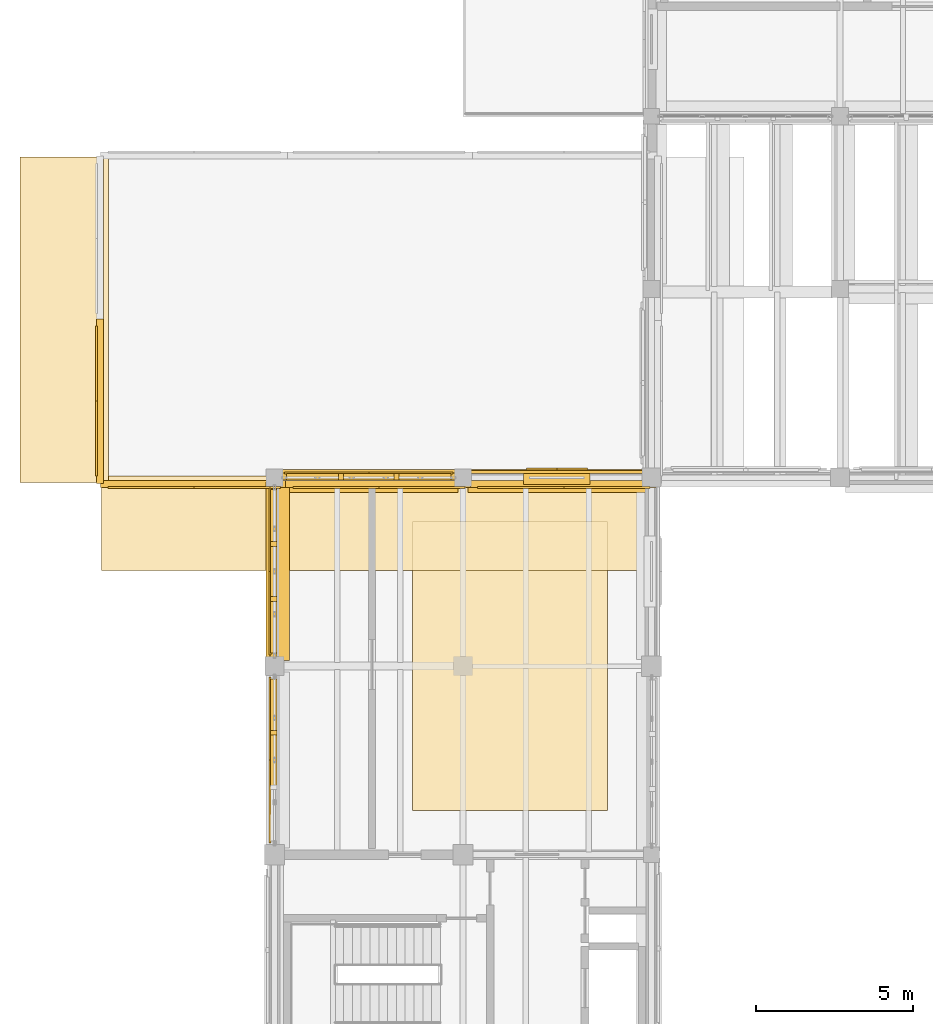
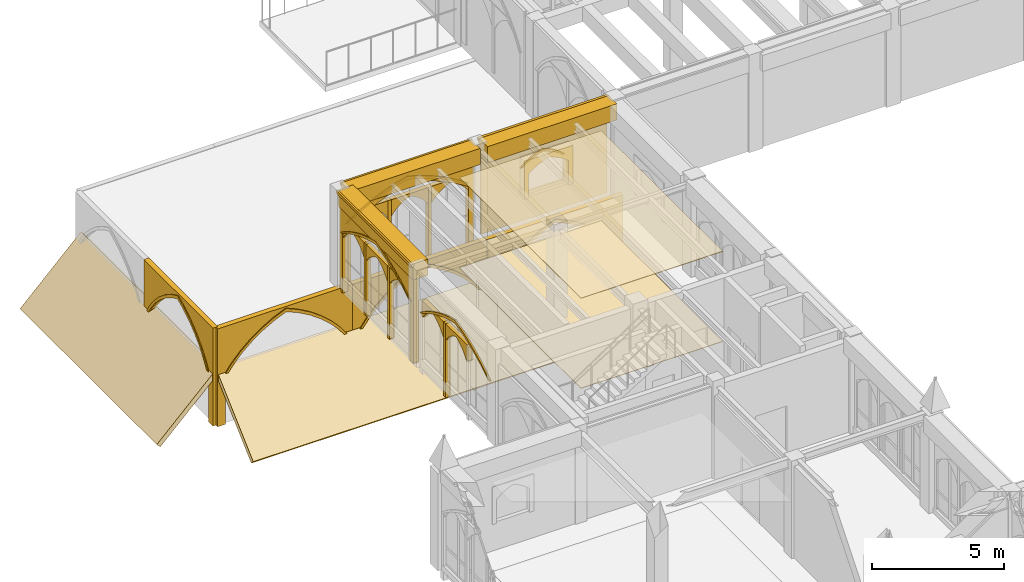
# One storey, part 96 of 127: 39 coverings.
"""IFC4 building model written with IfcOpenShell, lengths in metres."""

from ifc_helpers import new_model, si_unit, direction, frame, origin, origin_2d, place, context, subcontext, project, spatial, polyline, rectangle, outline, extrude, material, type_object, element, save


model = new_model("IFC4")

# Units and contexts
model_context = context("Model", 3, precision=1e-05, world=origin(), true_north=direction((0.0, 1.0)))
body_context = subcontext(model_context, "Body", "Model", "MODEL_VIEW")
ifc_project = project(units=[si_unit("LENGTHUNIT", "METRE"), si_unit("AREAUNIT", "SQUARE_METRE"), si_unit("VOLUMEUNIT", "CUBIC_METRE"), si_unit("PLANEANGLEUNIT", "RADIAN"), si_unit("MASSUNIT", "GRAM", prefix="KILO")], contexts=[model_context])

# Site, building, storey
site_placement = place(None, origin())
site = spatial("IfcSite", under=ifc_project, at=site_placement, CompositionType="ELEMENT")
building_placement = place(site_placement, origin())
building = spatial("IfcBuilding", under=site, at=building_placement, Name="Cumevento Cable Car Station", CompositionType="ELEMENT")
storey_placement = place(building_placement, frame((0.0, 0.0, 4.5)))
storey = spatial("IfcBuildingStorey", under=building, at=storey_placement, Name="L02", CompositionType="ELEMENT", Elevation=4.5)

# Coverings
ifc_material_1 = material(Name="Perforated Brazilian Ipe Timber Ceiling", Category="wood")
covering_type_1 = type_object("IfcCoveringType", Name="Acoustic Timber Ceiling CV-CE01", PredefinedType="CEILING", material=ifc_material_1)
covering_1_placement = place(storey_placement, frame((0.0, 0.0, 4.156982421875)))
element("IfcCovering", 1, at=covering_1_placement, inside=storey, type_object=covering_type_1, Name="Acoustic Timber Soffit Ceiling #6", PredefinedType="CEILING", context=body_context, shape_type="SweptSolid", body=[
    extrude(outline(polyline([(14.39990234375, 34.39990234375), (20.60009765625, 34.39990234375), (20.60009765625, 43.60009765625), (14.39990234375, 43.60009765625), (14.39990234375, 34.39990234375)])), origin(), (0.0, 0.0, 1.0), 0.028076171875),
])
ifc_material_2 = material(Name="Polished Carioca Granite Terrazzo Tile", Category="masonry")
covering_type_2 = type_object("IfcCoveringType", Name="Carioca Granite Flooring CV-FL01", PredefinedType="FLOORING", material=ifc_material_2)
covering_2_placement = place(storey_placement, origin())
element("IfcCovering", 2, at=covering_2_placement, inside=storey, type_object=covering_type_2, Name="Granite Terrazzo Floor Finish #6", PredefinedType="FLOORING", context=body_context, shape_type="SweptSolid", body=[
    extrude(outline(polyline([(14.39990234375, 34.39990234375), (20.60009765625, 34.39990234375), (20.60009765625, 43.60009765625), (14.39990234375, 43.60009765625), (14.39990234375, 34.39990234375)])), origin(), (0.0, 0.0, 1.0), 0.02197265625),
])
ifc_material_3 = material(Name="Gnaisse Facoidal Stone Ashlar 85 MPa", Category="masonry")
covering_type_3 = type_object("IfcCoveringType", Name="Gnaisse Ashlar Cladding CV-CL01", PredefinedType="CLADDING", material=ifc_material_3)
covering_3_placement = place(storey_placement, frame((13.0, 44.85009765625, 3.718017578125), z_axis=(0.0, 0.0, 1.0), x_axis=(1.0, 0.0, 0.0)))
element("IfcCovering", 3, at=covering_3_placement, inside=storey, type_object=covering_type_3, Name="Gothic Stone Spandrel Stringcourse sc:0344", PredefinedType="CLADDING", context=body_context, shape_type="SweptSolid", body=[
    extrude(rectangle(XDim=5.68994140625, YDim=0.659912109375, at=origin_2d()), origin(), (0.0, 0.0, 1.0), 0.7470703125),
])
covering_4_placement = place(storey_placement, frame((13.0, 45.20751953125, 4.3349609375), z_axis=(0.0, 0.0, 1.0), x_axis=(1.0, 0.0, 0.0)))
element("IfcCovering", 4, at=covering_4_placement, inside=storey, type_object=covering_type_3, Name="Gothic Cornice Dripstone Lip sc:0344", PredefinedType="CLADDING", context=body_context, shape_type="SweptSolid", body=[
    extrude(rectangle(XDim=5.72998046875, YDim=0.114990234375, at=origin_2d()), origin(), (0.0, 0.0, 1.0), 0.1298828125),
])
covering_5_placement = place(storey_placement, frame((18.987548828125, 44.85009765625, 3.682861328125), z_axis=(0.0, 0.0, 1.0), x_axis=(1.0, 0.0, 0.0)))
element("IfcCovering", 5, at=covering_5_placement, inside=storey, type_object=covering_type_3, Name="Gothic Stone Spandrel Stringcourse sc:0345", PredefinedType="CLADDING", context=body_context, shape_type="SweptSolid", body=[
    extrude(rectangle(XDim=5.6650390625, YDim=0.659912109375, at=origin_2d()), origin(), (0.0, 0.0, 1.0), 0.7470703125),
])
covering_6_placement = place(storey_placement, frame((18.987548828125, 45.20751953125, 4.300048828125), z_axis=(0.0, 0.0, 1.0), x_axis=(1.0, 0.0, 0.0)))
element("IfcCovering", 6, at=covering_6_placement, inside=storey, type_object=covering_type_3, Name="Gothic Cornice Dripstone Lip sc:0345", PredefinedType="CLADDING", context=body_context, shape_type="SweptSolid", body=[
    extrude(rectangle(XDim=5.705078125, YDim=0.114990234375, at=origin_2d()), origin(), (0.0, 0.0, 1.0), 0.1298828125),
])
covering_7_placement = place(storey_placement, frame((10.14990234375, 42.012451171875, 3.718017578125), z_axis=(0.0, 0.0, 1.0), x_axis=(0.0, 1.0, 0.0)))
element("IfcCovering", 7, at=covering_7_placement, inside=storey, type_object=covering_type_3, Name="Gothic Stone Spandrel Stringcourse sc:0347", PredefinedType="CLADDING", context=body_context, shape_type="SweptSolid", body=[
    extrude(rectangle(XDim=5.6650390625, YDim=0.659912109375, at=origin_2d()), origin(), (0.0, 0.0, 1.0), 0.7470703125),
])
covering_8_placement = place(storey_placement, frame((9.79248046875, 42.012451171875, 4.3349609375), z_axis=(0.0, 0.0, 1.0), x_axis=(0.0, 1.0, 0.0)))
element("IfcCovering", 8, at=covering_8_placement, inside=storey, type_object=covering_type_3, Name="Gothic Cornice Dripstone Lip sc:0347", PredefinedType="CLADDING", context=body_context, shape_type="SweptSolid", body=[
    extrude(rectangle(XDim=5.705078125, YDim=0.114990234375, at=origin_2d()), origin(), (0.0, 0.0, 1.0), 0.1298828125),
])
placement_1 = place(storey_placement, frame((10.27490234375, 45.0, -0.320068359375), z_axis=(0.0, 0.0, 1.0), x_axis=(1.0, 0.0, 0.0)))
element("IfcCovering", 9, at=placement_1, inside=storey, type_object=covering_type_3, Name="Gothic Ogival Pointed-Arch Stone Spandrel cw_ogival:0052", PredefinedType="CLADDING", context=body_context, shape_type="SweptSolid", body=[
    extrude(outline(polyline([(-0.080078125, 0.0), (-0.080078125, 4.177978515625), (5.530029296875, 4.177978515625), (5.530029296875, 0.0), (5.2900390625, 0.0), (5.2900390625, 2.867431640625), (4.99462890625, 3.057861328125), (4.690673828125, 3.234375), (4.37890625, 3.396484375), (4.059814453125, 3.54345703125), (3.734130859375, 3.675537109375), (3.402587890625, 3.792236328125), (3.06591796875, 3.89306640625), (2.72509765625, 3.97802734375), (2.384033203125, 3.89306640625), (2.04736328125, 3.792236328125), (1.7158203125, 3.675537109375), (1.39013671875, 3.54345703125), (1.071044921875, 3.396484375), (0.75927734375, 3.234375), (0.455322265625, 3.057861328125), (0.159912109375, 2.867431640625), (0.159912109375, 0.0), (-0.080078125, 0.0)])), frame((0.0, 0.139892578125, 0.0), z_axis=(0.0, -1.0, 0.0), x_axis=(1.0, 0.0, 0.0)), (0.0, 0.0, 1.0), 0.219970703125),
])
covering_10_placement = place(storey_placement, frame((10.27490234375, 45.0, 2.547607421875), z_axis=(0.0, 0.0, 1.0), x_axis=(1.0, 0.0, 0.0)))
element("IfcCovering", 10, at=covering_10_placement, inside=storey, type_object=covering_type_3, Name="Gothic Pointed Archivolt Hood Moulding cw_ogival:0052", PredefinedType="CLADDING", context=body_context, shape_type="SweptSolid", body=[
    extrude(outline(polyline([(0.159912109375, 0.0), (0.455322265625, 0.1904296875), (0.75927734375, 0.366943359375), (1.071044921875, 0.529052734375), (1.39013671875, 0.676025390625), (1.7158203125, 0.80810546875), (2.04736328125, 0.9248046875), (2.384033203125, 1.025634765625), (2.72509765625, 1.110595703125), (3.06591796875, 1.025634765625), (3.402587890625, 0.9248046875), (3.734130859375, 0.80810546875), (4.059814453125, 0.676025390625), (4.37890625, 0.529052734375), (4.690673828125, 0.366943359375), (4.99462890625, 0.1904296875), (5.2900390625, 0.0), (5.39990234375, 0.0), (5.095947265625, 0.21337890625), (4.78173828125, 0.411376953125), (4.457763671875, 0.59326171875), (4.125244140625, 0.7587890625), (3.784912109375, 0.9072265625), (3.4375, 1.03857421875), (3.083740234375, 1.152099609375), (2.72509765625, 1.248046875), (2.3662109375, 1.152099609375), (2.012451171875, 1.03857421875), (1.6650390625, 0.9072265625), (1.32470703125, 0.7587890625), (0.9921875, 0.59326171875), (0.668212890625, 0.411376953125), (0.35400390625, 0.21337890625), (0.050048828125, 0.0), (0.159912109375, 0.0)])), frame((0.0, 0.181884765625, 0.0), z_axis=(0.0, -1.0, 0.0), x_axis=(1.0, 0.0, 0.0)), (0.0, 0.0, 1.0), 0.06689453125),
])
element("IfcCovering", 11, at=placement_1, inside=storey, type_object=covering_type_3, Name="Gothic Bifora Stone Colonnette cw_ogival:0052 #1", PredefinedType="CLADDING", context=body_context, shape_type="SweptSolid", body=[
    extrude(outline(polyline([(1.77001953125, -0.02001953125), (1.919921875, -0.02001953125), (1.919921875, 3.445068359375), (1.77001953125, 3.445068359375), (1.77001953125, -0.02001953125)])), frame((0.0, 0.1279296875, 0.0), z_axis=(0.0, -1.0, 0.0), x_axis=(1.0, 0.0, 0.0)), (0.0, 0.0, 1.0), 0.205078125),
])
element("IfcCovering", 12, at=placement_1, inside=storey, type_object=covering_type_3, Name="Gothic Bifora Stone Colonnette cw_ogival:0052 #2", PredefinedType="CLADDING", context=body_context, shape_type="SweptSolid", body=[
    extrude(outline(polyline([(3.530029296875, -0.02001953125), (3.679931640625, -0.02001953125), (3.679931640625, 3.445068359375), (3.530029296875, 3.445068359375), (3.530029296875, -0.02001953125)])), frame((0.0, 0.1279296875, 0.0), z_axis=(0.0, -1.0, 0.0), x_axis=(1.0, 0.0, 0.0)), (0.0, 0.0, 1.0), 0.205078125),
])
for number, where, z_axis, x_axis, name in (
    (13, (10.405029296875, 45.0, 2.367431640625), (0.0, 0.0, 1.0), (1.0, 0.0, 0.0), "Gothic Ogival Pointed-Arch Stone Spandrel cw_ogival:0052:sub:0"),
    (14, (12.1650390625, 45.0, 2.367431640625), (0.0, 0.0, 1.0), (1.0, 0.0, 0.0), "Gothic Ogival Pointed-Arch Stone Spandrel cw_ogival:0052:sub:1"),
    (15, (13.925048828125, 45.0, 2.367431640625), (0.0, 0.0, 1.0), (1.0, 0.0, 0.0), "Gothic Ogival Pointed-Arch Stone Spandrel cw_ogival:0052:sub:2"),
):
    element("IfcCovering", number, at=place(storey_placement, frame(where, z_axis=z_axis, x_axis=x_axis)), inside=storey, type_object=covering_type_3, Name=name, PredefinedType="CLADDING", context=body_context, shape_type="SweptSolid", body=[
        extrude(outline(polyline([(-0.02001953125, 0.0), (-0.02001953125, 0.757568359375), (1.68994140625, 0.757568359375), (1.68994140625, 0.0), (1.6298828125, 0.0), (1.527587890625, 0.138916015625), (1.4111328125, 0.266357421875), (1.282470703125, 0.381103515625), (1.142333984375, 0.48193359375), (0.99267578125, 0.567626953125), (0.8349609375, 0.637451171875), (0.67724609375, 0.567626953125), (0.527587890625, 0.48193359375), (0.387451171875, 0.381103515625), (0.2587890625, 0.266357421875), (0.142333984375, 0.138916015625), (0.0400390625, 0.0), (-0.02001953125, 0.0)])), frame((0.0, 0.1240234375, 0.0), z_axis=(0.0, -1.0, 0.0), x_axis=(1.0, 0.0, 0.0)), (0.0, 0.0, 1.0), 0.199951171875),
    ])
covering_13_placement = place(storey_placement, frame((10.0, 33.324951171875, 2.5654296875), z_axis=(0.0, 0.0, 1.0), x_axis=(0.0, 1.0, 0.0)))
element("IfcCovering", 16, at=covering_13_placement, inside=storey, type_object=covering_type_3, Name="Gothic Pointed Archivolt Hood Moulding cw_ogival:0053", PredefinedType="CLADDING", context=body_context, shape_type="SweptSolid", body=[
    extrude(outline(polyline([(0.159912109375, 0.0), (0.450927734375, 0.1875), (0.75048828125, 0.361083984375), (1.057861328125, 0.5205078125), (1.372314453125, 0.665283203125), (1.693359375, 0.795166015625), (2.019775390625, 0.90966796875), (2.3515625, 1.009033203125), (2.6875, 1.092529296875), (3.0234375, 1.009033203125), (3.355224609375, 0.90966796875), (3.681640625, 0.795166015625), (4.002685546875, 0.665283203125), (4.317138671875, 0.5205078125), (4.62451171875, 0.361083984375), (4.924072265625, 0.1875), (5.215087890625, 0.0), (5.324951171875, 0.0), (5.025390625, 0.21044921875), (4.71533203125, 0.405517578125), (4.39599609375, 0.584716796875), (4.068115234375, 0.747802734375), (3.732421875, 0.894287109375), (3.389892578125, 1.023681640625), (3.041259765625, 1.135498046875), (2.6875, 1.22998046875), (2.333740234375, 1.135498046875), (1.985107421875, 1.023681640625), (1.642578125, 0.894287109375), (1.306884765625, 0.747802734375), (0.97900390625, 0.584716796875), (0.65966796875, 0.405517578125), (0.349609375, 0.21044921875), (0.050048828125, 0.0), (0.159912109375, 0.0)])), frame((0.0, 0.181884765625, 0.0), z_axis=(0.0, -1.0, 0.0), x_axis=(1.0, 0.0, 0.0)), (0.0, 0.0, 1.0), 0.06689453125),
])
covering_14_placement = place(storey_placement, frame((10.0, 33.324951171875, -0.27001953125), z_axis=(0.0, 0.0, 1.0), x_axis=(0.0, 1.0, 0.0)))
element("IfcCovering", 17, at=covering_14_placement, inside=storey, type_object=covering_type_3, Name="Gothic Bifora Stone Colonnette cw_ogival:0053 #2", PredefinedType="CLADDING", context=body_context, shape_type="SweptSolid", body=[
    extrude(outline(polyline([(3.47998046875, -0.02001953125), (3.6298828125, -0.02001953125), (3.6298828125, 3.403564453125), (3.47998046875, 3.403564453125), (3.47998046875, -0.02001953125)])), frame((0.0, 0.1279296875, 0.0), z_axis=(0.0, -1.0, 0.0), x_axis=(1.0, 0.0, 0.0)), (0.0, 0.0, 1.0), 0.205078125),
])
for number, where, z_axis, x_axis, name in (
    (18, (10.0, 35.18994140625, 2.385498046875), (0.0, 0.0, 1.0), (0.0, 1.0, 0.0), "Gothic Ogival Pointed-Arch Stone Spandrel cw_ogival:0053:sub:1"),
    (19, (10.0, 36.925048828125, 2.385498046875), (0.0, 0.0, 1.0), (0.0, 1.0, 0.0), "Gothic Ogival Pointed-Arch Stone Spandrel cw_ogival:0053:sub:2"),
):
    element("IfcCovering", number, at=place(storey_placement, frame(where, z_axis=z_axis, x_axis=x_axis)), inside=storey, type_object=covering_type_3, Name=name, PredefinedType="CLADDING", context=body_context, shape_type="SweptSolid", body=[
        extrude(outline(polyline([(-0.02001953125, 0.0), (-0.02001953125, 0.748046875), (1.6650390625, 0.748046875), (1.6650390625, 0.0), (1.60498046875, 0.0), (1.504150390625, 0.13671875), (1.389892578125, 0.262451171875), (1.262939453125, 0.37548828125), (1.125244140625, 0.474853515625), (0.977783203125, 0.559326171875), (0.822509765625, 0.628173828125), (0.667236328125, 0.559326171875), (0.519775390625, 0.474853515625), (0.382080078125, 0.37548828125), (0.255126953125, 0.262451171875), (0.140869140625, 0.13671875), (0.0400390625, 0.0), (-0.02001953125, 0.0)])), frame((0.0, 0.1240234375, 0.0), z_axis=(0.0, -1.0, 0.0), x_axis=(1.0, 0.0, 0.0)), (0.0, 0.0, 1.0), 0.199951171875),
    ])
placement_2 = place(storey_placement, frame((10.0, 39.300048828125, -0.159912109375), z_axis=(0.0, 0.0, 1.0), x_axis=(0.0, 1.0, 0.0)))
element("IfcCovering", 20, at=placement_2, inside=storey, type_object=covering_type_3, Name="Gothic Ogival Pointed-Arch Stone Spandrel cw_ogival:0055", PredefinedType="CLADDING", context=body_context, shape_type="SweptSolid", body=[
    extrude(outline(polyline([(-0.080078125, 0.0), (-0.080078125, 4.01806640625), (5.5048828125, 4.01806640625), (5.5048828125, 0.0), (5.264892578125, 0.0), (5.264892578125, 2.76513671875), (4.968994140625, 2.946044921875), (4.6650390625, 3.113525390625), (4.35400390625, 3.267333984375), (4.036376953125, 3.40673828125), (3.712646484375, 3.53173828125), (3.3837890625, 3.64208984375), (3.050048828125, 3.737548828125), (2.71240234375, 3.818115234375), (2.375, 3.737548828125), (2.041259765625, 3.64208984375), (1.71240234375, 3.53173828125), (1.388671875, 3.40673828125), (1.071044921875, 3.267333984375), (0.760009765625, 3.113525390625), (0.4560546875, 2.946044921875), (0.159912109375, 2.76513671875), (0.159912109375, 0.0), (-0.080078125, 0.0)])), frame((0.0, 0.139892578125, 0.0), z_axis=(0.0, -1.0, 0.0), x_axis=(1.0, 0.0, 0.0)), (0.0, 0.0, 1.0), 0.219970703125),
])
covering_16_placement = place(storey_placement, frame((10.0, 39.300048828125, 2.60498046875), z_axis=(0.0, 0.0, 1.0), x_axis=(0.0, 1.0, 0.0)))
element("IfcCovering", 21, at=covering_16_placement, inside=storey, type_object=covering_type_3, Name="Gothic Pointed Archivolt Hood Moulding cw_ogival:0055", PredefinedType="CLADDING", context=body_context, shape_type="SweptSolid", body=[
    extrude(outline(polyline([(0.159912109375, 0.0), (0.4560546875, 0.180908203125), (0.760009765625, 0.348388671875), (1.071044921875, 0.502197265625), (1.388671875, 0.6416015625), (1.71240234375, 0.7666015625), (2.041259765625, 0.876953125), (2.375, 0.972412109375), (2.71240234375, 1.052978515625), (3.050048828125, 0.972412109375), (3.3837890625, 0.876953125), (3.712646484375, 0.7666015625), (4.036376953125, 0.6416015625), (4.35400390625, 0.502197265625), (4.6650390625, 0.348388671875), (4.968994140625, 0.180908203125), (5.264892578125, 0.0), (5.375, 0.0), (5.070068359375, 0.203857421875), (4.755859375, 0.39306640625), (4.4326171875, 0.566650390625), (4.1015625, 0.724365234375), (3.76318359375, 0.865966796875), (3.418212890625, 0.990966796875), (3.06787109375, 1.09912109375), (2.71240234375, 1.1904296875), (2.357177734375, 1.09912109375), (2.0068359375, 0.990966796875), (1.661865234375, 0.865966796875), (1.323486328125, 0.724365234375), (0.992431640625, 0.566650390625), (0.669189453125, 0.39306640625), (0.35498046875, 0.203857421875), (0.050048828125, 0.0), (0.159912109375, 0.0)])), frame((0.0, 0.181884765625, 0.0), z_axis=(0.0, -1.0, 0.0), x_axis=(1.0, 0.0, 0.0)), (0.0, 0.0, 1.0), 0.06689453125),
])
element("IfcCovering", 22, at=placement_2, inside=storey, type_object=covering_type_3, Name="Gothic Bifora Stone Colonnette cw_ogival:0055 #1", PredefinedType="CLADDING", context=body_context, shape_type="SweptSolid", body=[
    extrude(outline(polyline([(1.76171875, -0.02001953125), (1.91162109375, -0.02001953125), (1.91162109375, 3.3125), (1.76171875, 3.3125), (1.76171875, -0.02001953125)])), frame((0.0, 0.1279296875, 0.0), z_axis=(0.0, -1.0, 0.0), x_axis=(1.0, 0.0, 0.0)), (0.0, 0.0, 1.0), 0.205078125),
])
element("IfcCovering", 23, at=placement_2, inside=storey, type_object=covering_type_3, Name="Gothic Bifora Stone Colonnette cw_ogival:0055 #2", PredefinedType="CLADDING", context=body_context, shape_type="SweptSolid", body=[
    extrude(outline(polyline([(3.513427734375, -0.02001953125), (3.663330078125, -0.02001953125), (3.663330078125, 3.3125), (3.513427734375, 3.3125), (3.513427734375, -0.02001953125)])), frame((0.0, 0.1279296875, 0.0), z_axis=(0.0, -1.0, 0.0), x_axis=(1.0, 0.0, 0.0)), (0.0, 0.0, 1.0), 0.205078125),
])
for number, where, z_axis, x_axis, name in (
    (24, (10.0, 39.429931640625, 2.425048828125), (0.0, 0.0, 1.0), (0.0, 1.0, 0.0), "Gothic Ogival Pointed-Arch Stone Spandrel cw_ogival:0055:sub:0"),
    (25, (10.0, 41.181640625, 2.425048828125), (0.0, 0.0, 1.0), (0.0, 1.0, 0.0), "Gothic Ogival Pointed-Arch Stone Spandrel cw_ogival:0055:sub:1"),
    (26, (10.0, 42.933349609375, 2.425048828125), (0.0, 0.0, 1.0), (0.0, 1.0, 0.0), "Gothic Ogival Pointed-Arch Stone Spandrel cw_ogival:0055:sub:2"),
):
    element("IfcCovering", number, at=place(storey_placement, frame(where, z_axis=z_axis, x_axis=x_axis)), inside=storey, type_object=covering_type_3, Name=name, PredefinedType="CLADDING", context=body_context, shape_type="SweptSolid", body=[
        extrude(outline(polyline([(-0.02001953125, 0.0), (-0.02001953125, 0.7275390625), (1.681640625, 0.7275390625), (1.681640625, 0.0), (1.62158203125, 0.0), (1.517578125, 0.1328125), (1.400634765625, 0.25439453125), (1.272216796875, 0.36376953125), (1.133544921875, 0.459716796875), (0.98583984375, 0.541259765625), (0.830810546875, 0.607421875), (0.67578125, 0.541259765625), (0.528076171875, 0.459716796875), (0.389404296875, 0.36376953125), (0.260986328125, 0.25439453125), (0.14404296875, 0.1328125), (0.0400390625, 0.0), (-0.02001953125, 0.0)])), frame((0.0, 0.1240234375, 0.0), z_axis=(0.0, -1.0, 0.0), x_axis=(1.0, 0.0, 0.0)), (0.0, 0.0, 1.0), 0.199951171875),
    ])
covering_19_placement = place(storey_placement, frame((16.27490234375, 45.0, 0.0), z_axis=(0.0, 0.0, 1.0), x_axis=(1.0, 0.0, 0.0)))
element("IfcCovering", 27, at=covering_19_placement, inside=storey, type_object=covering_type_3, Name="Exterior Gnaisse Stone Wall Ashlar #193", PredefinedType="CLADDING", context=body_context, shape_type="SweptSolid", body=[
    extrude(outline(polyline([(-0.0400390625, -0.02001953125), (5.465087890625, -0.02001953125), (5.465087890625, 3.762939453125), (-0.0400390625, 3.762939453125), (-0.0400390625, -0.02001953125)]), holes=[polyline([(1.847412109375, 1.260009765625), (3.577392578125, 1.260009765625), (3.577392578125, 2.739990234375), (1.847412109375, 2.739990234375), (1.847412109375, 1.260009765625)])]), frame((0.0, 0.222412109375, 0.0), z_axis=(0.0, -1.0, 0.0), x_axis=(1.0, 0.0, 0.0)), (0.0, 0.0, 1.0), 0.0849609375),
])
covering_20_placement = place(storey_placement, frame((17.972412109375, 45.0, 1.199951171875), z_axis=(0.0, 0.0, 1.0), x_axis=(1.0, 0.0, 0.0)))
element("IfcCovering", 28, at=covering_20_placement, inside=storey, type_object=covering_type_3, Name="Gothic Ogival Pointed-Arch Stone Spandrel op_ogival:0193:1", PredefinedType="CLADDING", context=body_context, shape_type="SweptSolid", body=[
    extrude(outline(polyline([(-0.0400390625, 0.0), (-0.0400390625, 1.77001953125), (2.070068359375, 1.77001953125), (2.070068359375, 0.0), (1.889892578125, 0.0), (1.889892578125, 1.1298828125), (1.77880859375, 1.218994140625), (1.662353515625, 1.30078125), (1.540771484375, 1.375), (1.414794921875, 1.44091796875), (1.28466796875, 1.4990234375), (1.1513671875, 1.548828125), (1.014892578125, 1.590087890625), (0.878662109375, 1.548828125), (0.745361328125, 1.4990234375), (0.615234375, 1.44091796875), (0.4892578125, 1.375), (0.36767578125, 1.30078125), (0.251220703125, 1.218994140625), (0.139892578125, 1.1298828125), (0.139892578125, 0.0), (-0.0400390625, 0.0)])), frame((0.0, 0.260498046875, 0.0), z_axis=(0.0, -1.0, 0.0), x_axis=(1.0, 0.0, 0.0)), (0.0, 0.0, 1.0), 0.47509765625),
])
covering_21_placement = place(storey_placement, frame((17.972412109375, 45.0, 2.330078125), z_axis=(0.0, 0.0, 1.0), x_axis=(1.0, 0.0, 0.0)))
element("IfcCovering", 29, at=covering_21_placement, inside=storey, type_object=covering_type_3, Name="Gothic Pointed Archivolt Hood Moulding op_ogival:0193:1", PredefinedType="CLADDING", context=body_context, shape_type="SweptSolid", body=[
    extrude(outline(polyline([(0.139892578125, 0.0), (0.251220703125, 0.0888671875), (0.36767578125, 0.170654296875), (0.4892578125, 0.244873046875), (0.615234375, 0.31103515625), (0.745361328125, 0.369140625), (0.878662109375, 0.4189453125), (1.014892578125, 0.4599609375), (1.1513671875, 0.4189453125), (1.28466796875, 0.369140625), (1.414794921875, 0.31103515625), (1.540771484375, 0.244873046875), (1.662353515625, 0.170654296875), (1.77880859375, 0.0888671875), (1.889892578125, 0.0), (1.989013671875, 0.0), (1.869384765625, 0.112060546875), (1.7421875, 0.21533203125), (1.60791015625, 0.309326171875), (1.467529296875, 0.3935546875), (1.3212890625, 0.467529296875), (1.170166015625, 0.531005859375), (1.014892578125, 0.583740234375), (0.85986328125, 0.531005859375), (0.708740234375, 0.467529296875), (0.5625, 0.3935546875), (0.422119140625, 0.309326171875), (0.287841796875, 0.21533203125), (0.16064453125, 0.112060546875), (0.041015625, 0.0), (0.139892578125, 0.0)])), frame((0.0, 0.302490234375, 0.0), z_axis=(0.0, -1.0, 0.0), x_axis=(1.0, 0.0, 0.0)), (0.0, 0.0, 1.0), 0.06689453125),
])
covering_22_placement = place(storey_placement, frame((10.38330078125, 44.85009765625, -4.52001953125), z_axis=(0.0, 0.0, 1.0), x_axis=(-1.0, 0.0, 0.0)))
element("IfcCovering", 30, at=covering_22_placement, inside=storey, type_object=covering_type_3, Name="Gothic Ogival Pointed-Arch Stone Spandrel cumevento_plinth:bank_arch:SLOPE_NW_W:S:0", PredefinedType="CLADDING", context=body_context, shape_type="SweptSolid", body=[
    extrude(outline(polyline([(-0.030029296875, 0.0), (-0.030029296875, 4.52001953125), (5.913330078125, 4.52001953125), (5.913330078125, 0.0), (5.563232421875, 0.0), (5.563232421875, 2.25), (5.22119140625, 2.697265625), (4.83544921875, 3.107666015625), (4.41015625, 3.4765625), (3.949462890625, 3.800537109375), (3.458251953125, 4.075927734375), (2.941650390625, 4.300048828125), (2.425048828125, 4.075927734375), (1.933837890625, 3.800537109375), (1.47314453125, 3.4765625), (1.0478515625, 3.107666015625), (0.662109375, 2.697265625), (0.320068359375, 2.25), (0.320068359375, 0.0), (-0.030029296875, 0.0)])), frame((0.0, 0.159912109375, 0.0), z_axis=(0.0, -1.0, 0.0), x_axis=(1.0, 0.0, 0.0)), (0.0, 0.0, 1.0), 0.219970703125),
])
covering_23_placement = place(storey_placement, frame((10.38330078125, 44.85009765625, -2.27001953125), z_axis=(0.0, 0.0, 1.0), x_axis=(-1.0, 0.0, 0.0)))
element("IfcCovering", 31, at=covering_23_placement, inside=storey, type_object=covering_type_3, Name="Gothic Pointed Archivolt Hood Moulding cumevento_plinth:bank_arch:SLOPE_NW_W:S:0", PredefinedType="CLADDING", context=body_context, shape_type="SweptSolid", body=[
    extrude(outline(polyline([(0.320068359375, 0.0), (0.662109375, 0.447265625), (1.0478515625, 0.857666015625), (1.47314453125, 1.2265625), (1.933837890625, 1.550537109375), (2.425048828125, 1.825927734375), (2.941650390625, 2.050048828125), (3.458251953125, 1.825927734375), (3.949462890625, 1.550537109375), (4.41015625, 1.2265625), (4.83544921875, 0.857666015625), (5.22119140625, 0.447265625), (5.563232421875, 0.0), (5.684326171875, 0.0), (5.3310546875, 0.479248046875), (4.929931640625, 0.91943359375), (4.485595703125, 1.315673828125), (4.00244140625, 1.663818359375), (3.486083984375, 1.9599609375), (2.941650390625, 2.201171875), (2.397216796875, 1.9599609375), (1.880859375, 1.663818359375), (1.397705078125, 1.315673828125), (0.953369140625, 0.91943359375), (0.55224609375, 0.479248046875), (0.198974609375, 0.0), (0.320068359375, 0.0)])), frame((0.0, 0.201904296875, 0.0), z_axis=(0.0, -1.0, 0.0), x_axis=(1.0, 0.0, 0.0)), (0.0, 0.0, 1.0), 0.06689453125),
])
covering_24_placement = place(storey_placement, frame((16.2666015625, 44.85009765625, -4.52001953125), z_axis=(0.0, 0.0, 1.0), x_axis=(-1.0, 0.0, 0.0)))
element("IfcCovering", 32, at=covering_24_placement, inside=storey, type_object=covering_type_3, Name="Gothic Ogival Pointed-Arch Stone Spandrel cumevento_plinth:bank_arch:SLOPE_NW_W:S:1", PredefinedType="CLADDING", context=body_context, shape_type="SweptSolid", body=[
    extrude(outline(polyline([(-0.030029296875, 0.0), (-0.030029296875, 4.52001953125), (5.913330078125, 4.52001953125), (5.913330078125, 0.0), (5.563232421875, 0.0), (5.563232421875, 2.25), (5.22119140625, 2.697265625), (4.83544921875, 3.107666015625), (4.41015625, 3.4765625), (3.949462890625, 3.800537109375), (3.458251953125, 4.075927734375), (2.941650390625, 4.300048828125), (2.425048828125, 4.075927734375), (1.933837890625, 3.800537109375), (1.47314453125, 3.4765625), (1.0478515625, 3.107666015625), (0.662109375, 2.697265625), (0.320068359375, 2.25), (0.320068359375, 0.0), (-0.030029296875, 0.0)])), frame((0.0, 0.159912109375, 0.0), z_axis=(0.0, -1.0, 0.0), x_axis=(1.0, 0.0, 0.0)), (0.0, 0.0, 1.0), 0.219970703125),
])
covering_25_placement = place(storey_placement, frame((16.2666015625, 44.85009765625, -2.27001953125), z_axis=(0.0, 0.0, 1.0), x_axis=(-1.0, 0.0, 0.0)))
element("IfcCovering", 33, at=covering_25_placement, inside=storey, type_object=covering_type_3, Name="Gothic Pointed Archivolt Hood Moulding cumevento_plinth:bank_arch:SLOPE_NW_W:S:1", PredefinedType="CLADDING", context=body_context, shape_type="SweptSolid", body=[
    extrude(outline(polyline([(0.320068359375, 0.0), (0.662109375, 0.447265625), (1.0478515625, 0.857666015625), (1.47314453125, 1.2265625), (1.933837890625, 1.550537109375), (2.425048828125, 1.825927734375), (2.941650390625, 2.050048828125), (3.458251953125, 1.825927734375), (3.949462890625, 1.550537109375), (4.41015625, 1.2265625), (4.83544921875, 0.857666015625), (5.22119140625, 0.447265625), (5.563232421875, 0.0), (5.684326171875, 0.0), (5.3310546875, 0.479248046875), (4.929931640625, 0.91943359375), (4.485595703125, 1.315673828125), (4.00244140625, 1.663818359375), (3.486083984375, 1.9599609375), (2.941650390625, 2.201171875), (2.397216796875, 1.9599609375), (1.880859375, 1.663818359375), (1.397705078125, 1.315673828125), (0.953369140625, 0.91943359375), (0.55224609375, 0.479248046875), (0.198974609375, 0.0), (0.320068359375, 0.0)])), frame((0.0, 0.201904296875, 0.0), z_axis=(0.0, -1.0, 0.0), x_axis=(1.0, 0.0, 0.0)), (0.0, 0.0, 1.0), 0.06689453125),
])
covering_26_placement = place(storey_placement, frame((22.14990234375, 44.85009765625, -4.52001953125), z_axis=(0.0, 0.0, 1.0), x_axis=(-1.0, 0.0, 0.0)))
element("IfcCovering", 34, at=covering_26_placement, inside=storey, type_object=covering_type_3, Name="Gothic Ogival Pointed-Arch Stone Spandrel cumevento_plinth:bank_arch:SLOPE_NW_W:S:2", PredefinedType="CLADDING", context=body_context, shape_type="SweptSolid", body=[
    extrude(outline(polyline([(-0.030029296875, 0.0), (-0.030029296875, 4.52001953125), (5.913330078125, 4.52001953125), (5.913330078125, 0.0), (5.563232421875, 0.0), (5.563232421875, 2.25), (5.22119140625, 2.697265625), (4.83544921875, 3.107666015625), (4.41015625, 3.4765625), (3.949462890625, 3.800537109375), (3.458251953125, 4.075927734375), (2.941650390625, 4.300048828125), (2.425048828125, 4.075927734375), (1.933837890625, 3.800537109375), (1.47314453125, 3.4765625), (1.0478515625, 3.107666015625), (0.662109375, 2.697265625), (0.320068359375, 2.25), (0.320068359375, 0.0), (-0.030029296875, 0.0)])), frame((0.0, 0.159912109375, 0.0), z_axis=(0.0, -1.0, 0.0), x_axis=(1.0, 0.0, 0.0)), (0.0, 0.0, 1.0), 0.219970703125),
])
covering_27_placement = place(storey_placement, frame((22.14990234375, 44.85009765625, -2.27001953125), z_axis=(0.0, 0.0, 1.0), x_axis=(-1.0, 0.0, 0.0)))
element("IfcCovering", 35, at=covering_27_placement, inside=storey, type_object=covering_type_3, Name="Gothic Pointed Archivolt Hood Moulding cumevento_plinth:bank_arch:SLOPE_NW_W:S:2", PredefinedType="CLADDING", context=body_context, shape_type="SweptSolid", body=[
    extrude(outline(polyline([(0.320068359375, 0.0), (0.662109375, 0.447265625), (1.0478515625, 0.857666015625), (1.47314453125, 1.2265625), (1.933837890625, 1.550537109375), (2.425048828125, 1.825927734375), (2.941650390625, 2.050048828125), (3.458251953125, 1.825927734375), (3.949462890625, 1.550537109375), (4.41015625, 1.2265625), (4.83544921875, 0.857666015625), (5.22119140625, 0.447265625), (5.563232421875, 0.0), (5.684326171875, 0.0), (5.3310546875, 0.479248046875), (4.929931640625, 0.91943359375), (4.485595703125, 1.315673828125), (4.00244140625, 1.663818359375), (3.486083984375, 1.9599609375), (2.941650390625, 2.201171875), (2.397216796875, 1.9599609375), (1.880859375, 1.663818359375), (1.397705078125, 1.315673828125), (0.953369140625, 0.91943359375), (0.55224609375, 0.479248046875), (0.198974609375, 0.0), (0.320068359375, 0.0)])), frame((0.0, 0.201904296875, 0.0), z_axis=(0.0, -1.0, 0.0), x_axis=(1.0, 0.0, 0.0)), (0.0, 0.0, 1.0), 0.06689453125),
])
covering_28_placement = place(storey_placement, frame((4.5, 42.050048828125, -4.5400390625), z_axis=(0.0, -0.676481559293, 0.736459571149), x_axis=(1.0, 0.0, 0.0)))
element("IfcCovering", 36, at=covering_28_placement, inside=storey, type_object=covering_type_3, Name="Sloped Gnaisse Hillside Talus SLOPE_NW_W S", PredefinedType="CLADDING", context=body_context, shape_type="SweptSolid", body=[
    extrude(outline(polyline([(0.0, 0.0), (17.64990234375, 0.0), (17.64990234375, 3.8832590318428775), (0.0, 3.8832590318428775), (0.0, 0.0)])), origin(), (0.0, 0.0, -1.0), 0.219970703125),
])
covering_29_placement = place(storey_placement, frame((4.5, 44.85009765625, -4.52001953125), z_axis=(0.0, 0.0, 1.0), x_axis=(0.0, 1.0, 0.0)))
element("IfcCovering", 37, at=covering_29_placement, inside=storey, type_object=covering_type_3, Name="Gothic Ogival Pointed-Arch Stone Spandrel cumevento_plinth:bank_arch:SLOPE_NW_W:W:1", PredefinedType="CLADDING", context=body_context, shape_type="SweptSolid", body=[
    extrude(outline(polyline([(-0.030029296875, 0.0), (-0.030029296875, 4.52001953125), (5.205078125, 4.52001953125), (5.205078125, 0.0), (4.85498046875, 0.0), (4.85498046875, 2.25), (4.58203125, 2.69140625), (4.260986328125, 3.099365234375), (3.896240234375, 3.468505859375), (3.4921875, 3.79443359375), (3.05419921875, 4.07275390625), (2.58740234375, 4.300048828125), (2.120849609375, 4.07275390625), (1.682861328125, 3.79443359375), (1.27880859375, 3.468505859375), (0.9140625, 3.099365234375), (0.593017578125, 2.69140625), (0.320068359375, 2.25), (0.320068359375, 0.0), (-0.030029296875, 0.0)])), frame((0.0, 0.159912109375, 0.0), z_axis=(0.0, -1.0, 0.0), x_axis=(1.0, 0.0, 0.0)), (0.0, 0.0, 1.0), 0.219970703125),
])
covering_30_placement = place(storey_placement, frame((4.5, 44.85009765625, -2.27001953125), z_axis=(0.0, 0.0, 1.0), x_axis=(0.0, 1.0, 0.0)))
element("IfcCovering", 38, at=covering_30_placement, inside=storey, type_object=covering_type_3, Name="Gothic Pointed Archivolt Hood Moulding cumevento_plinth:bank_arch:SLOPE_NW_W:W:1", PredefinedType="CLADDING", context=body_context, shape_type="SweptSolid", body=[
    extrude(outline(polyline([(0.320068359375, 0.0), (0.593017578125, 0.44140625), (0.9140625, 0.849365234375), (1.27880859375, 1.218505859375), (1.682861328125, 1.54443359375), (2.120849609375, 1.82275390625), (2.58740234375, 2.050048828125), (3.05419921875, 1.82275390625), (3.4921875, 1.54443359375), (3.896240234375, 1.218505859375), (4.260986328125, 0.849365234375), (4.58203125, 0.44140625), (4.85498046875, 0.0), (4.97607421875, 0.0), (4.69189453125, 0.47314453125), (4.35595703125, 0.91064453125), (3.97216796875, 1.30712890625), (3.545654296875, 1.657470703125), (3.082275390625, 1.956787109375), (2.58740234375, 2.201171875), (2.0927734375, 1.956787109375), (1.62939453125, 1.657470703125), (1.202880859375, 1.30712890625), (0.819091796875, 0.91064453125), (0.483154296875, 0.47314453125), (0.198974609375, 0.0), (0.320068359375, 0.0)])), frame((0.0, 0.201904296875, 0.0), z_axis=(0.0, -1.0, 0.0), x_axis=(1.0, 0.0, 0.0)), (0.0, 0.0, 1.0), 0.06689453125),
])
covering_31_placement = place(storey_placement, frame((1.89990234375, 55.199951171875, -4.5400390625), z_axis=(-0.702652284483, 0.0, 0.711533391424), x_axis=(0.0, -1.0, 0.0)))
element("IfcCovering", 39, at=covering_31_placement, inside=storey, type_object=covering_type_3, Name="Sloped Gnaisse Hillside Talus SLOPE_NW_W W", PredefinedType="CLADDING", context=body_context, shape_type="SweptSolid", body=[
    extrude(outline(polyline([(0.0, 0.0), (10.349853515625, 0.0), (10.349853515625, 3.7386246127902876), (0.0, 3.7386246127902876), (0.0, 0.0)])), origin(), (0.0, 0.0, -1.0), 0.219970703125),
])

save(model, "model.ifc")
